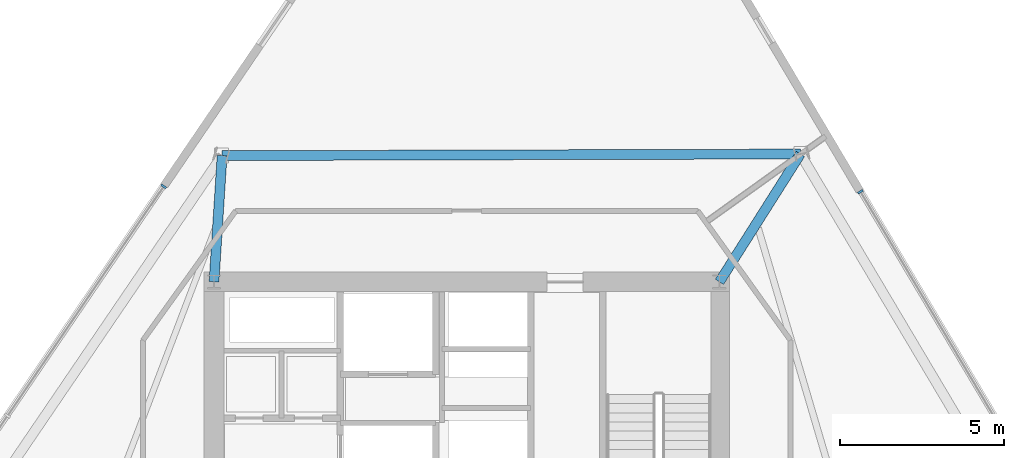
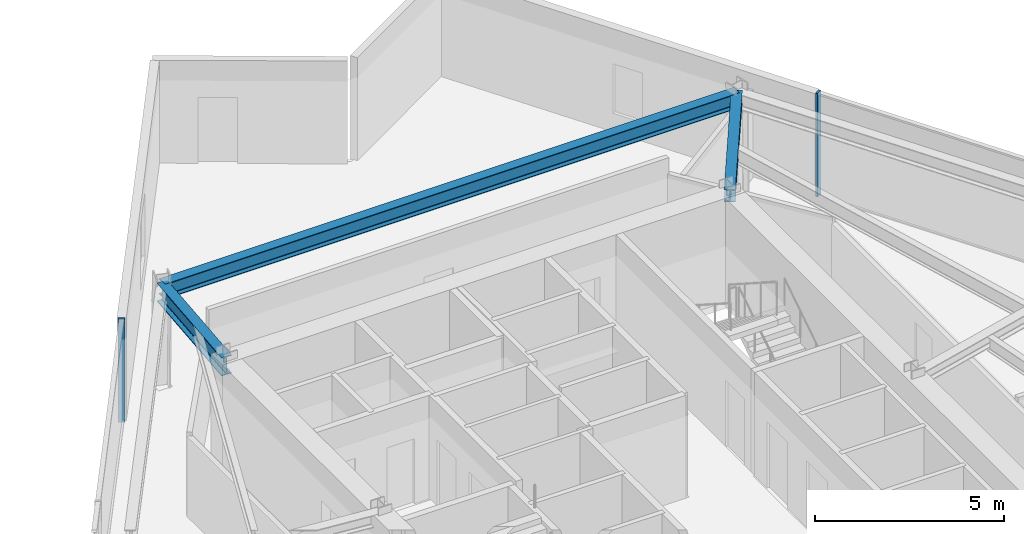
# One storey, part 6 of 15: 3 beams, 2 members, 2 elements without a shape of their own.
"""IFC4 building model written with IfcOpenShell, lengths in metres."""

from ifc_helpers import new_model, si_unit, direction, frame, origin, origin_2d, place, context, subcontext, project, spatial, rectangle, i_section, extrude, material, material_profile, profile_set, type_object, element, aggregate, save


model = new_model("IFC4")

# Units and contexts
model_context = context("Model", 3, precision=1e-05, world=origin(), true_north=direction((0.0, 1.0)))
body_context = subcontext(model_context, "Body", "Model", "MODEL_VIEW")
ifc_project = project(units=[si_unit("LENGTHUNIT", "METRE"), si_unit("AREAUNIT", "SQUARE_METRE"), si_unit("VOLUMEUNIT", "CUBIC_METRE"), si_unit("PLANEANGLEUNIT", "RADIAN"), si_unit("MASSUNIT", "GRAM", prefix="KILO")], contexts=[model_context])

# Site, building, storey
site_placement = place(None, origin())
site = spatial("IfcSite", under=ifc_project, at=site_placement, CompositionType="ELEMENT")
building_placement = place(site_placement, origin())
building = spatial("IfcBuilding", under=site, at=building_placement, Name="Savorim Split Tower", CompositionType="ELEMENT")
storey_placement = place(building_placement, frame((0.0, 0.0, 86.10009765625)))
storey = spatial("IfcBuildingStorey", under=building, at=storey_placement, Name="L22", CompositionType="ELEMENT", Elevation=86.10009765625)

# Beams
ifc_material_1 = material(Name="Steel S355", Category="steel")
ifc_material_profile_1 = material_profile(ifc_material_1, i_section(OverallWidth=0.300048828125, OverallDepth=0.39990234375, WebThickness=0.013427734375, FlangeThickness=0.02392578125, FilletRadius=0.027099609375, at=origin_2d()), Name="HEB 400")
ifc_profile_set_1 = profile_set([ifc_material_profile_1], Name="Steel S355")
beam_type_1 = type_object("IfcBeamType", Name="BM-PRI-HEB400", PredefinedType="BEAM", material=ifc_profile_set_1)
beam_1_placement = place(storey_placement, frame((10.1669921875, 14.0947265625, 3.14990234375), z_axis=(-0.535106252516, -0.844784764611, 0.0), x_axis=(0.844784764611, -0.535106252516, 0.0)))
element("IfcBeam", 1, at=beam_1_placement, inside=storey, type_object=beam_type_1, Name="L22 Primary Floor Girder RG-07", PredefinedType="BEAM", context=body_context, shape_type="SweptSolid", body=[
    extrude(i_section(OverallWidth=0.300048828125, OverallDepth=0.39990234375, WebThickness=0.013427734375, FlangeThickness=0.02392578125, FilletRadius=0.027099609375, at=origin_2d()), origin(), (0.0, 0.0, 1.0), 4.6103515625),
])
ifc_material_profile_2 = material_profile(ifc_material_1, i_section(OverallWidth=0.300048828125, OverallDepth=0.60009765625, WebThickness=0.015380859375, FlangeThickness=0.030029296875, FilletRadius=0.027099609375, at=origin_2d()), Name="HEB 600")
ifc_profile_set_2 = profile_set([ifc_material_profile_2], Name="Steel S355")
beam_type_2 = type_object("IfcBeamType", Name="BM-PRI-HEB600", PredefinedType="BEAM", material=ifc_profile_set_2)
beam_2_placement = place(storey_placement, frame((-7.45361328125, 14.0458984375, 3.0498046875), z_axis=(-0.06392030732, -0.997955006156, 0.0), x_axis=(0.997955006156, -0.06392030732, 0.0)))
element("IfcBeam", 2, at=beam_2_placement, inside=storey, type_object=beam_type_2, Name="L22 Primary Floor Girder RG-08", PredefinedType="BEAM", context=body_context, shape_type="SweptSolid", body=[
    extrude(i_section(OverallWidth=0.300048828125, OverallDepth=0.60009765625, WebThickness=0.015380859375, FlangeThickness=0.030029296875, FilletRadius=0.027099609375, at=origin_2d()), origin(), (0.0, 0.0, 1.0), 3.853759765625),
])
ifc_material_profile_3 = material_profile(ifc_material_1, i_section(OverallWidth=0.300048828125, OverallDepth=0.489990234375, WebThickness=0.011962890625, FlangeThickness=0.02294921875, FilletRadius=0.027099609375, at=origin_2d()), Name="HEA 500")
ifc_profile_set_3 = profile_set([ifc_material_profile_3], Name="Steel S355")
beam_type_3 = type_object("IfcBeamType", Name="BM-SPN-HEA500", PredefinedType="SPANDREL", material=ifc_profile_set_3)
beam_3_placement = place(storey_placement, frame((10.1669921875, 14.0947265625, 3.10498046875), z_axis=(-0.999996160577, -0.002771070359, 0.0), x_axis=(0.002771070359, -0.999996160577, 0.0)))
element("IfcBeam", 3, at=beam_3_placement, inside=storey, type_object=beam_type_3, Name="L22 Perimeter Spandrel Beam 7", PredefinedType="SPANDREL", context=body_context, shape_type="SweptSolid", body=[
    extrude(i_section(OverallWidth=0.300048828125, OverallDepth=0.489990234375, WebThickness=0.011962890625, FlangeThickness=0.02294921875, FilletRadius=0.027099609375, at=origin_2d()), origin(), (0.0, 0.0, 1.0), 17.62060546875),
])

# Curtain wall, member
ifc_material_2 = material(Name="Dark Ceramic-Fritted Insulated Glass", Category="glass")
curtain_wall_type = type_object("IfcCurtainWallType", Name="CW-TWR-FRIT-A", PredefinedType="NOTDEFINED", material=ifc_material_2)
curtain_wall_1_placement = place(storey_placement, origin())
curtain_wall_1 = element("IfcCurtainWall", 4, at=curtain_wall_1_placement, inside=storey, type_object=curtain_wall_type, Name="L22 Curtain Wall CW-L22-EAST", PredefinedType="NOTDEFINED")
ifc_material_3 = material(Name="Charcoal Anodised Aluminium", Category="aluminium")
ifc_material_profile_4 = material_profile(ifc_material_3, rectangle(XDim=0.179931640625, YDim=0.06494140625, at=origin_2d()), Name="ALU-M 180x65")
ifc_profile_set_4 = profile_set([ifc_material_profile_4], Name="Charcoal Anodised Aluminium")
member_type = type_object("IfcMemberType", Name="CWM-180x65", PredefinedType="MULLION", material=ifc_profile_set_4)
member_1_placement = place(storey_placement, frame((11.993408203125, 12.94482421875, 0.0), z_axis=(0.0, 0.0, 1.0), x_axis=(-0.859524537852, -0.511094481315, 0.0)))
member_1 = element("IfcMember", 5, at=member_1_placement, type_object=member_type, Name="CW-02 mullion 5", PredefinedType="MULLION", context=body_context, shape_type="SweptSolid", body=[
    extrude(rectangle(XDim=0.179931640625, YDim=0.06494140625, at=origin_2d()), origin(), (0.0, 0.0, 1.0), 3.349853515625),
])
aggregate(curtain_wall_1, [member_1])

curtain_wall_2_placement = place(storey_placement, origin())
curtain_wall_2 = element("IfcCurtainWall", 6, at=curtain_wall_2_placement, inside=storey, type_object=curtain_wall_type, Name="L22 Curtain Wall CW-L22-WEST", PredefinedType="NOTDEFINED")
member_2_placement = place(storey_placement, frame((-9.235595703125, 13.109130859375, 0.0), z_axis=(0.0, 0.0, 1.0), x_axis=(0.826819383915, -0.562467515846, 0.0)))
member_2 = element("IfcMember", 7, at=member_2_placement, type_object=member_type, Name="CW-02 mullion 1", PredefinedType="MULLION", context=body_context, shape_type="SweptSolid", body=[
    extrude(rectangle(XDim=0.179931640625, YDim=0.06494140625, at=origin_2d()), origin(), (0.0, 0.0, 1.0), 3.349853515625),
])
aggregate(curtain_wall_2, [member_2])

save(model, "model.ifc")
